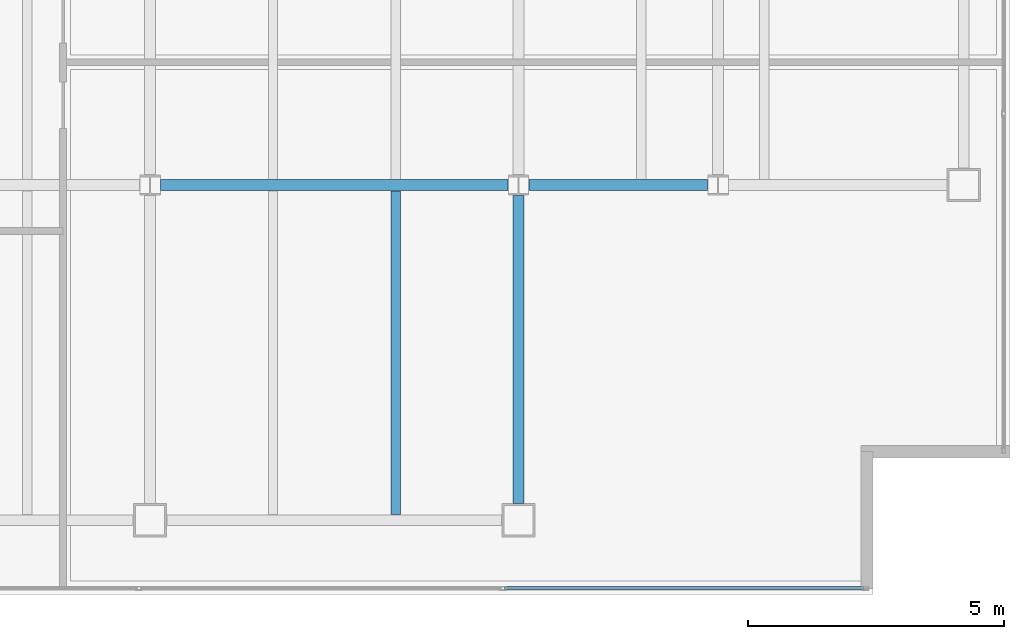
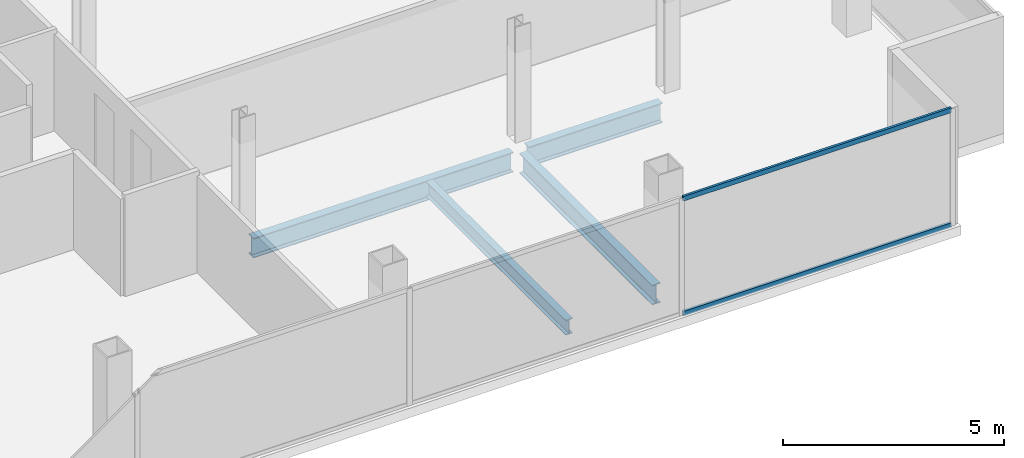
# One storey, part 13 of 23: 4 beams, 2 members, 1 element without a shape of its own.
"""IFC4 building model written with IfcOpenShell, lengths in metres."""

from ifc_helpers import new_model, si_unit, direction, frame, origin, origin_2d, place, context, subcontext, project, spatial, hollow_rectangle, i_section, extrude, material, material_profile, profile_set, type_object, element, aggregate, save


model = new_model("IFC4")

# Units and contexts
model_context = context("Model", 3, precision=1e-05, world=origin(), true_north=direction((0.0, 1.0)))
body_context = subcontext(model_context, "Body", "Model", "MODEL_VIEW")
ifc_project = project(units=[si_unit("LENGTHUNIT", "METRE"), si_unit("AREAUNIT", "SQUARE_METRE"), si_unit("VOLUMEUNIT", "CUBIC_METRE"), si_unit("PLANEANGLEUNIT", "RADIAN"), si_unit("MASSUNIT", "GRAM", prefix="KILO")], contexts=[model_context])

# Site, building, storey
site_placement = place(None, origin())
site = spatial("IfcSite", under=ifc_project, at=site_placement, CompositionType="ELEMENT")
building_placement = place(site_placement, origin())
building = spatial("IfcBuilding", under=site, at=building_placement, Name="Cobrela Telecom Tower", CompositionType="ELEMENT")
storey_placement = place(building_placement, frame((0.0, 0.0, 279.64990234375)))
storey = spatial("IfcBuildingStorey", under=building, at=storey_placement, Name="L73", CompositionType="ELEMENT", Elevation=279.64990234375)

# Beams
ifc_material_1 = material(Name="Steel ASTM A992 Grade 50", Category="steel")
ifc_material_profile_1 = material_profile(ifc_material_1, i_section(OverallWidth=0.212890625, OverallDepth=0.549072265625, WebThickness=0.0146484375, FlangeThickness=0.023681640625, FilletRadius=0.013916015625, at=origin_2d()), Name="W21X93")
ifc_profile_set_1 = profile_set([ifc_material_profile_1], Name="Steel ASTM A992 Grade 50")
beam_type_1 = type_object("IfcBeamType", Name="BM-GIRD-08", PredefinedType="USERDEFINED", material=ifc_profile_set_1)
beam_1_placement = place(storey_placement, frame((29.00439453125, 14.39990234375, -0.534423828125), z_axis=(1.0, 0.0, 0.0), x_axis=(0.0, 1.0, 0.0)))
element("IfcBeam", 1, at=beam_1_placement, inside=storey, type_object=beam_type_1, Name="L73 Primary Girder X07", ObjectType="GIRDER", PredefinedType="USERDEFINED", context=body_context, shape_type="SweptSolid", body=[
    extrude(i_section(OverallWidth=0.212890625, OverallDepth=0.549072265625, WebThickness=0.0146484375, FlangeThickness=0.023681640625, FilletRadius=0.013916015625, at=origin_2d()), origin(), (0.0, 0.0, 1.0), 6.791015625),
])
beam_2_placement = place(storey_placement, frame((36.20458984375, 14.39990234375, -0.534423828125), z_axis=(1.0, 0.0, 0.0), x_axis=(0.0, 1.0, 0.0)))
element("IfcBeam", 2, at=beam_2_placement, inside=storey, type_object=beam_type_1, Name="L73 Primary Girder X08", ObjectType="GIRDER", PredefinedType="USERDEFINED", context=body_context, shape_type="SweptSolid", body=[
    extrude(i_section(OverallWidth=0.212890625, OverallDepth=0.549072265625, WebThickness=0.0146484375, FlangeThickness=0.023681640625, FilletRadius=0.013916015625, at=origin_2d()), origin(), (0.0, 0.0, 1.0), 3.490966796875),
])
beam_3_placement = place(storey_placement, frame((36.0, 8.179931640625, -0.534423828125), z_axis=(0.0, 1.0, 0.0), x_axis=(-1.0, 0.0, 0.0)))
element("IfcBeam", 3, at=beam_3_placement, inside=storey, type_object=beam_type_1, Name="L73 Primary Girder Y31", ObjectType="GIRDER", PredefinedType="USERDEFINED", context=body_context, shape_type="SweptSolid", body=[
    extrude(i_section(OverallWidth=0.212890625, OverallDepth=0.549072265625, WebThickness=0.0146484375, FlangeThickness=0.023681640625, FilletRadius=0.013916015625, at=origin_2d()), origin(), (0.0, 0.0, 1.0), 6.015625),
])
ifc_material_profile_2 = material_profile(ifc_material_1, i_section(OverallWidth=0.179931640625, OverallDepth=0.4169921875, WebThickness=0.010986328125, FlangeThickness=0.01806640625, FilletRadius=0.011962890625, at=origin_2d()), Name="W16X57")
ifc_profile_set_2 = profile_set([ifc_material_profile_2], Name="Steel ASTM A992 Grade 50")
beam_type_2 = type_object("IfcBeamType", Name="BM-JOIST-04", PredefinedType="JOIST", material=ifc_profile_set_2)
beam_4_placement = place(storey_placement, frame((33.60009765625, 7.96142578125, -0.468505859375), z_axis=(0.0, 1.0, 0.0), x_axis=(-1.0, 0.0, 0.0)))
element("IfcBeam", 4, at=beam_4_placement, inside=storey, type_object=beam_type_2, Name="L73 Secondary Composite Floor Beam J13", PredefinedType="JOIST", context=body_context, shape_type="SweptSolid", body=[
    extrude(i_section(OverallWidth=0.179931640625, OverallDepth=0.4169921875, WebThickness=0.010986328125, FlangeThickness=0.01806640625, FilletRadius=0.011962890625, at=origin_2d()), origin(), (0.0, 0.0, 1.0), 6.3271484375),
])

# Curtain wall, members
ifc_material_2 = material(Name="Anodized Bronze Aluminium 6063-T6", Category="aluminium")
curtain_wall_type = type_object("IfcCurtainWallType", Name="CW-SYS-OFF-HI", PredefinedType="USERDEFINED", material=ifc_material_2)
curtain_wall_placement = place(storey_placement, origin())
curtain_wall = element("IfcCurtainWall", 5, at=curtain_wall_placement, inside=storey, type_object=curtain_wall_type, Name="L73 Unitised Bronze Curtain Wall 15", ObjectType="UNITISED CURTAIN WALL", PredefinedType="USERDEFINED")
ifc_material_profile_3 = material_profile(ifc_material_2, hollow_rectangle(XDim=0.06494140625, YDim=0.1298828125, WallThickness=0.00390625, at=origin_2d()), Name="ALU 65x130x4")
ifc_profile_set_3 = profile_set([ifc_material_profile_3], Name="Anodized Bronze Aluminium 6063-T6")
member_type = type_object("IfcMemberType", Name="CW-SYS-OFF-HI-TRN", PredefinedType="USERDEFINED", material=ifc_profile_set_3)
member_1_placement = place(storey_placement, frame((42.739990234375, 6.52001953125, 0.03271484375), z_axis=(-1.0, 0.0, 0.0), x_axis=(0.0, -1.0, 0.0)))
member_1 = element("IfcMember", 6, at=member_1_placement, type_object=member_type, Name="CW-OFF-HI transom 1.1", ObjectType="TRANSOM", PredefinedType="USERDEFINED", context=body_context, shape_type="SweptSolid", body=[
    extrude(hollow_rectangle(XDim=0.06494140625, YDim=0.1298828125, WallThickness=0.00390625, at=origin_2d()), origin(), (0.0, 0.0, 1.0), 7.010009765625),
])
member_2_placement = place(storey_placement, frame((42.739990234375, 6.52001953125, 3.20751953125), z_axis=(-1.0, 0.0, 0.0), x_axis=(0.0, -1.0, 0.0)))
member_2 = element("IfcMember", 7, at=member_2_placement, type_object=member_type, Name="CW-OFF-HI transom 1.2", ObjectType="TRANSOM", PredefinedType="USERDEFINED", context=body_context, shape_type="SweptSolid", body=[
    extrude(hollow_rectangle(XDim=0.06494140625, YDim=0.1298828125, WallThickness=0.00390625, at=origin_2d()), origin(), (0.0, 0.0, 1.0), 7.010009765625),
])
aggregate(curtain_wall, [member_1, member_2])

save(model, "model.ifc")
